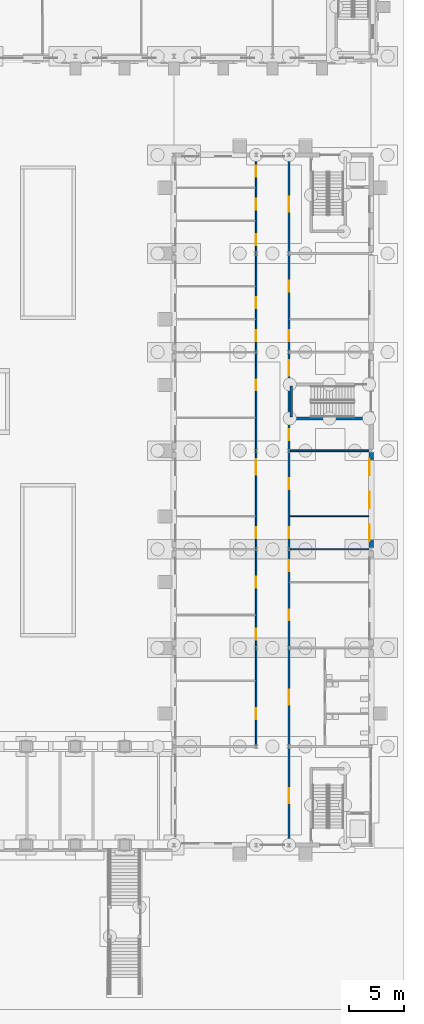
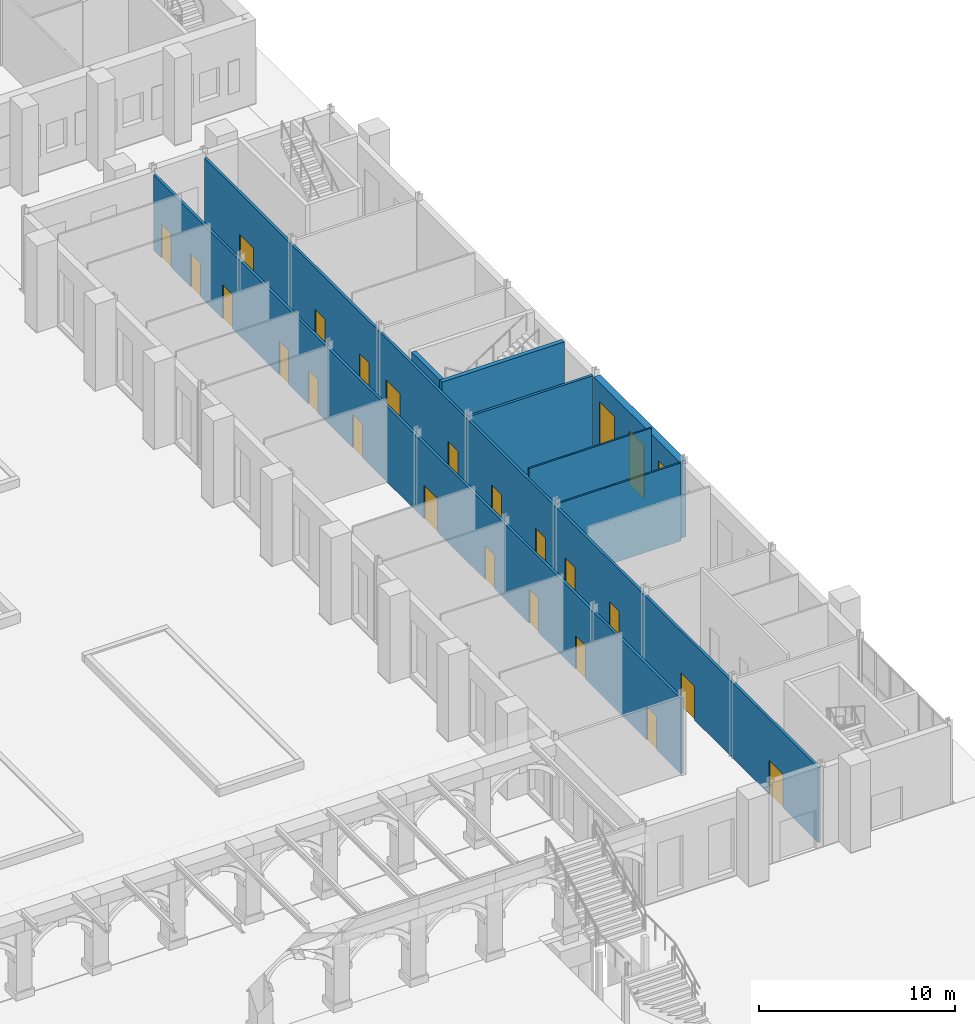
# One storey, part 103 of 168: 22 doors, 8 walls, 3 windows, 25 openings.
"""IFC4 building model written with IfcOpenShell, lengths in metres."""

from ifc_helpers import new_model, si_unit, direction, frame, frame_2d, origin, place, context, subcontext, project, spatial, rectangle, extrude, material, layer, layer_set, type_object, element, fill, save


model = new_model("IFC4")

# Units and contexts
model_context = context("Model", 3, precision=1e-05, world=origin(), true_north=direction((0.0, 1.0)))
body_context = subcontext(model_context, "Body", "Model", "MODEL_VIEW")
ifc_project = project(units=[si_unit("LENGTHUNIT", "METRE"), si_unit("AREAUNIT", "SQUARE_METRE"), si_unit("VOLUMEUNIT", "CUBIC_METRE"), si_unit("PLANEANGLEUNIT", "RADIAN"), si_unit("MASSUNIT", "GRAM", prefix="KILO")], contexts=[model_context])

# Site, building, storey
site_placement = place(None, origin())
site = spatial("IfcSite", under=ifc_project, at=site_placement, CompositionType="ELEMENT")
building_placement = place(site_placement, origin())
building = spatial("IfcBuilding", under=site, at=building_placement, Name="Golden Quay Civic Hall", CompositionType="ELEMENT")
storey_placement = place(building_placement, origin())
storey = spatial("IfcBuildingStorey", under=building, at=storey_placement, Name="L00", CompositionType="ELEMENT", Elevation=0.0)

# Wall, openings, windows
ifc_material_1 = material(Name="Brick, dark clay facing", Category="masonry")
ifc_layer_1 = layer(ifc_material_1, 0.39990234375)
ifc_layer_set_1 = layer_set([ifc_layer_1], Name="Brick external wall 400")
wall_type_1 = type_object("IfcWallType", Name="Brick external wall 400", PredefinedType="STANDARD", material=ifc_layer_set_1)
wall_1_placement = place(storey_placement, frame((171.0, 26.864990234375, 0.0), z_axis=(0.0, 0.0, 1.0), x_axis=(0.0, -1.0, 0.0)))
wall_1 = element("IfcWall", 1, at=wall_1_placement, inside=storey, type_object=wall_type_1, Name="Brick external wall 400 L00 22", PredefinedType="STANDARD", context=body_context, shape_type="SweptSolid", body=[
    extrude(rectangle(XDim=8.72998046875, YDim=0.39990234375, at=frame_2d((4.364990234375, 0.0))), origin(), (0.0, 0.0, 1.0), 4.800048828125),
])
opening_1_placement = place(wall_1_placement, frame((6.614990234375, 0.0, 0.300048828125)))
opening_1 = element("IfcOpeningElement", 2, at=opening_1_placement, cuts=wall_1, Name="Opening WN4", PredefinedType="OPENING", context=body_context, shape_type="SweptSolid", body=[
    extrude(rectangle(XDim=1.5, YDim=3.300048828125, at=frame_2d((0.75, 1.64990234375))), frame((0.0, 0.2099609375, 0.0), z_axis=(0.0, -1.0, 0.0), x_axis=(1.0, 0.0, 0.0)), (0.0, 0.0, 1.0), 0.419921875),
])
opening_2_placement = place(wall_1_placement, frame((3.614990234375, 0.0, 0.300048828125)))
opening_2 = element("IfcOpeningElement", 3, at=opening_2_placement, cuts=wall_1, Name="Opening WN4", PredefinedType="OPENING", context=body_context, shape_type="SweptSolid", body=[
    extrude(rectangle(XDim=1.5, YDim=3.300048828125, at=frame_2d((0.75, 1.64990234375))), frame((0.0, 0.2099609375, 0.0), z_axis=(0.0, -1.0, 0.0), x_axis=(1.0, 0.0, 0.0)), (0.0, 0.0, 1.0), 0.419921875),
])
opening_3_placement = place(wall_1_placement, frame((0.614990234375, 0.0, 0.300048828125)))
opening_3 = element("IfcOpeningElement", 4, at=opening_3_placement, cuts=wall_1, Name="Opening WN4", PredefinedType="OPENING", context=body_context, shape_type="SweptSolid", body=[
    extrude(rectangle(XDim=1.5, YDim=3.300048828125, at=frame_2d((0.75, 1.64990234375))), frame((0.0, 0.2099609375, 0.0), z_axis=(0.0, -1.0, 0.0), x_axis=(1.0, 0.0, 0.0)), (0.0, 0.0, 1.0), 0.419921875),
])
ifc_material_2 = material(Name="Aluminium frame, double glazed", Category="aluminium")
window_type = type_object("IfcWindowType", Name="Tall ground-floor window 1500 x 3300", PartitioningType="SINGLE_PANEL", PredefinedType="WINDOW", material=ifc_material_2)
window_1_placement = place(opening_1_placement, origin())
window_1 = element("IfcWindow", 5, at=window_1_placement, inside=storey, type_object=window_type, Name="Tall ground-floor window 1500 x 3300 L00 45", OverallHeight=3.300048828125, OverallWidth=1.5, PartitioningType="SINGLE_PANEL", PredefinedType="WINDOW", context=body_context, shape_type="SweptSolid", body=[
    extrude(rectangle(XDim=1.5, YDim=3.300048828125, at=frame_2d((0.75, 1.64990234375))), frame((0.0, -0.119873046875, 0.0), z_axis=(0.0, -1.0, 0.0), x_axis=(1.0, 0.0, 0.0)), (0.0, 0.0, 1.0), 0.06005859375),
])
fill(opening_1, window_1)
window_2_placement = place(opening_2_placement, origin())
window_2 = element("IfcWindow", 6, at=window_2_placement, inside=storey, type_object=window_type, Name="Tall ground-floor window 1500 x 3300 L00 46", OverallHeight=3.300048828125, OverallWidth=1.5, PartitioningType="SINGLE_PANEL", PredefinedType="WINDOW", context=body_context, shape_type="SweptSolid", body=[
    extrude(rectangle(XDim=1.5, YDim=3.300048828125, at=frame_2d((0.75, 1.64990234375))), frame((0.0, -0.119873046875, 0.0), z_axis=(0.0, -1.0, 0.0), x_axis=(1.0, 0.0, 0.0)), (0.0, 0.0, 1.0), 0.06005859375),
])
fill(opening_2, window_2)
window_3_placement = place(opening_3_placement, origin())
window_3 = element("IfcWindow", 7, at=window_3_placement, inside=storey, type_object=window_type, Name="Tall ground-floor window 1500 x 3300 L00 47", OverallHeight=3.300048828125, OverallWidth=1.5, PartitioningType="SINGLE_PANEL", PredefinedType="WINDOW", context=body_context, shape_type="SweptSolid", body=[
    extrude(rectangle(XDim=1.5, YDim=3.300048828125, at=frame_2d((0.75, 1.64990234375))), frame((0.0, -0.119873046875, 0.0), z_axis=(0.0, -1.0, 0.0), x_axis=(1.0, 0.0, 0.0)), (0.0, 0.0, 1.0), 0.06005859375),
])
fill(opening_3, window_3)

# Walls
ifc_material_3 = material(Name="Concrete C40/50", Category="concrete")
ifc_layer_2 = layer(ifc_material_3, 0.25)
ifc_layer_set_2 = layer_set([ifc_layer_2], Name="Concrete core wall 250, Concrete C40/50")
wall_type_2 = type_object("IfcWallType", Name="Concrete core wall 250", PredefinedType="SHEAR", material=ifc_layer_set_2)
wall_2_placement = place(storey_placement, frame((163.574951171875, 29.949951171875, 0.0), z_axis=(0.0, 0.0, 1.0), x_axis=(1.0, 0.0, 0.0)))
element("IfcWall", 8, at=wall_2_placement, inside=storey, type_object=wall_type_2, Name="Core wall EO-M-W2", PredefinedType="SHEAR", context=body_context, shape_type="SweptSolid", body=[
    extrude(rectangle(XDim=7.22509765625, YDim=0.25, at=frame_2d((3.612548828125, 0.0))), origin(), (0.0, 0.0, 1.0), 5.199951171875),
])
wall_3_placement = place(storey_placement, frame((163.699951171875, 30.074951171875, 0.0), z_axis=(0.0, 0.0, 1.0), x_axis=(0.0, 1.0, 0.0)))
element("IfcWall", 9, at=wall_3_placement, inside=storey, type_object=wall_type_2, Name="Core wall EO-M-W3", PredefinedType="SHEAR", context=body_context, shape_type="SweptSolid", body=[
    extrude(rectangle(XDim=2.85009765625, YDim=0.25, at=frame_2d((1.425048828125, 0.0))), origin(), (0.0, 0.0, 1.0), 5.199951171875),
])
ifc_material_4 = material(Name="Plasterboard on steel studs", Category="steel")
ifc_layer_3 = layer(ifc_material_4, 0.10009765625)
ifc_layer_set_3 = layer_set([ifc_layer_3], Name="Partition 100 stud")
wall_type_3 = type_object("IfcWallType", Name="Partition 100 stud", PredefinedType="PARTITIONING", material=ifc_layer_set_3)
wall_4_placement = place(storey_placement, frame((163.574951171875, 18.0, 0.0), z_axis=(0.0, 0.0, 1.0), x_axis=(1.0, 0.0, 0.0)))
element("IfcWall", 10, at=wall_4_placement, inside=storey, type_object=wall_type_3, Name="Partition L00-002", PredefinedType="PARTITIONING", context=body_context, shape_type="SweptSolid", body=[
    extrude(rectangle(XDim=7.22509765625, YDim=0.10009765625, at=frame_2d((3.612548828125, 0.0))), origin(), (0.0, 0.0, 1.0), 4.85009765625),
])
wall_5_placement = place(storey_placement, frame((163.574951171875, 21.0, 0.0), z_axis=(0.0, 0.0, 1.0), x_axis=(1.0, 0.0, 0.0)))
element("IfcWall", 11, at=wall_5_placement, inside=storey, type_object=wall_type_3, Name="Partition L00-003", PredefinedType="PARTITIONING", context=body_context, shape_type="SweptSolid", body=[
    extrude(rectangle(XDim=7.22509765625, YDim=0.10009765625, at=frame_2d((3.612548828125, 0.0))), origin(), (0.0, 0.0, 1.0), 5.199951171875),
])
ifc_material_5 = material(Name="Plasterboard on steel studs", Category="steel")
ifc_layer_4 = layer(ifc_material_5, 0.14990234375)
ifc_layer_set_4 = layer_set([ifc_layer_4], Name="Partition 150 stud fire EI 60")
wall_type_4 = type_object("IfcWallType", Name="Partition 150 stud fire EI 60", PredefinedType="PARTITIONING", material=ifc_layer_set_4)
wall_6_placement = place(storey_placement, frame((163.574951171875, 27.0, 0.0), z_axis=(0.0, 0.0, 1.0), x_axis=(1.0, 0.0, 0.0)))
element("IfcWall", 12, at=wall_6_placement, inside=storey, type_object=wall_type_4, Name="Partition L00-004", PredefinedType="PARTITIONING", context=body_context, shape_type="SweptSolid", body=[
    extrude(rectangle(XDim=7.22509765625, YDim=0.14990234375, at=frame_2d((3.612548828125, 0.0))), origin(), (0.0, 0.0, 1.0), 4.85009765625),
])

# Wall, openings, doors
wall_7_placement = place(storey_placement, frame((163.5, -8.800048828125, 0.0), z_axis=(0.0, 0.0, 1.0), x_axis=(0.0, 1.0, 0.0)))
wall_7 = element("IfcWall", 13, at=wall_7_placement, inside=storey, type_object=wall_type_4, Name="Partition L00-020", PredefinedType="PARTITIONING", context=body_context, shape_type="SweptSolid", body=[
    extrude(rectangle(XDim=62.60009765625, YDim=0.14990234375, at=frame_2d((31.300048828125, 0.0))), origin(), (0.0, 0.0, 1.0), 4.679931640625),
])
opening_4_placement = place(wall_7_placement, frame((20.300048828125, 0.0, 0.0)))
opening_4 = element("IfcOpeningElement", 14, at=opening_4_placement, cuts=wall_7, Name="Opening L00-D145", PredefinedType="OPENING", context=body_context, shape_type="SweptSolid", body=[
    extrude(rectangle(XDim=1.0, YDim=2.10009765625, at=frame_2d((0.5, 1.050048828125))), frame((0.0, 0.0849609375, 0.0), z_axis=(0.0, -1.0, 0.0), x_axis=(1.0, 0.0, 0.0)), (0.0, 0.0, 1.0), 0.169921875),
])
opening_5_placement = place(wall_7_placement, frame((24.800048828125, 0.0, 0.0)))
opening_5 = element("IfcOpeningElement", 15, at=opening_5_placement, cuts=wall_7, Name="Opening L00-D146", PredefinedType="OPENING", context=body_context, shape_type="SweptSolid", body=[
    extrude(rectangle(XDim=1.0, YDim=2.10009765625, at=frame_2d((0.5, 1.050048828125))), frame((0.0, 0.0849609375, 0.0), z_axis=(0.0, -1.0, 0.0), x_axis=(1.0, 0.0, 0.0)), (0.0, 0.0, 1.0), 0.169921875),
])
opening_6_placement = place(wall_7_placement, frame((27.800048828125, 0.0, 0.0)))
opening_6 = element("IfcOpeningElement", 16, at=opening_6_placement, cuts=wall_7, Name="Opening L00-D147", PredefinedType="OPENING", context=body_context, shape_type="SweptSolid", body=[
    extrude(rectangle(XDim=1.0, YDim=2.10009765625, at=frame_2d((0.5, 1.050048828125))), frame((0.0, 0.0849609375, 0.0), z_axis=(0.0, -1.0, 0.0), x_axis=(1.0, 0.0, 0.0)), (0.0, 0.0, 1.0), 0.169921875),
])
opening_7_placement = place(wall_7_placement, frame((32.300048828125, 0.0, 0.0)))
opening_7 = element("IfcOpeningElement", 17, at=opening_7_placement, cuts=wall_7, Name="Opening L00-D148", PredefinedType="OPENING", context=body_context, shape_type="SweptSolid", body=[
    extrude(rectangle(XDim=1.0, YDim=2.10009765625, at=frame_2d((0.5, 1.050048828125))), frame((0.0, 0.0849609375, 0.0), z_axis=(0.0, -1.0, 0.0), x_axis=(1.0, 0.0, 0.0)), (0.0, 0.0, 1.0), 0.169921875),
])
opening_8_placement = place(wall_7_placement, frame((45.800048828125, 0.0, 0.0)))
opening_8 = element("IfcOpeningElement", 18, at=opening_8_placement, cuts=wall_7, Name="Opening L00-D149", PredefinedType="OPENING", context=body_context, shape_type="SweptSolid", body=[
    extrude(rectangle(XDim=1.0, YDim=2.10009765625, at=frame_2d((0.5, 1.050048828125))), frame((0.0, 0.0849609375, 0.0), z_axis=(0.0, -1.0, 0.0), x_axis=(1.0, 0.0, 0.0)), (0.0, 0.0, 1.0), 0.169921875),
])
opening_9_placement = place(wall_7_placement, frame((50.300048828125, 0.0, 0.0)))
opening_9 = element("IfcOpeningElement", 19, at=opening_9_placement, cuts=wall_7, Name="Opening L00-D150", PredefinedType="OPENING", context=body_context, shape_type="SweptSolid", body=[
    extrude(rectangle(XDim=1.0, YDim=2.10009765625, at=frame_2d((0.5, 1.050048828125))), frame((0.0, 0.0849609375, 0.0), z_axis=(0.0, -1.0, 0.0), x_axis=(1.0, 0.0, 0.0)), (0.0, 0.0, 1.0), 0.169921875),
])
opening_10_placement = place(wall_7_placement, frame((12.60009765625, 0.0, 0.0)))
opening_10 = element("IfcOpeningElement", 20, at=opening_10_placement, cuts=wall_7, Name="Opening L00-D162", PredefinedType="OPENING", context=body_context, shape_type="SweptSolid", body=[
    extrude(rectangle(XDim=1.39990234375, YDim=2.10009765625, at=frame_2d((0.699951171875, 1.050048828125))), frame((0.0, 0.0849609375, 0.0), z_axis=(0.0, -1.0, 0.0), x_axis=(1.0, 0.0, 0.0)), (0.0, 0.0, 1.0), 0.169921875),
])
opening_11_placement = place(wall_7_placement, frame((3.60009765625, 0.0, 0.0)))
opening_11 = element("IfcOpeningElement", 21, at=opening_11_placement, cuts=wall_7, Name="Opening L00-D167", PredefinedType="OPENING", context=body_context, shape_type="SweptSolid", body=[
    extrude(rectangle(XDim=1.39990234375, YDim=2.10009765625, at=frame_2d((0.699951171875, 1.050048828125))), frame((0.0, 0.0849609375, 0.0), z_axis=(0.0, -1.0, 0.0), x_axis=(1.0, 0.0, 0.0)), (0.0, 0.0, 1.0), 0.169921875),
])
opening_12_placement = place(wall_7_placement, frame((57.60009765625, 0.0, 0.0)))
opening_12 = element("IfcOpeningElement", 22, at=opening_12_placement, cuts=wall_7, Name="Opening L00-D169", PredefinedType="OPENING", context=body_context, shape_type="SweptSolid", body=[
    extrude(rectangle(XDim=1.39990234375, YDim=2.10009765625, at=frame_2d((0.699951171875, 1.050048828125))), frame((0.0, 0.0849609375, 0.0), z_axis=(0.0, -1.0, 0.0), x_axis=(1.0, 0.0, 0.0)), (0.0, 0.0, 1.0), 0.169921875),
])
opening_13_placement = place(wall_7_placement, frame((36.75, 0.0, 0.0)))
opening_13 = element("IfcOpeningElement", 23, at=opening_13_placement, cuts=wall_7, Name="Opening L00-D170", PredefinedType="OPENING", context=body_context, shape_type="SweptSolid", body=[
    extrude(rectangle(XDim=1.0, YDim=2.10009765625, at=frame_2d((0.5, 1.050048828125))), frame((0.0, 0.0849609375, 0.0), z_axis=(0.0, -1.0, 0.0), x_axis=(1.0, 0.0, 0.0)), (0.0, 0.0, 1.0), 0.169921875),
])
opening_14_placement = place(wall_7_placement, frame((42.64990234375, 0.0, 0.0)))
opening_14 = element("IfcOpeningElement", 24, at=opening_14_placement, cuts=wall_7, Name="Opening L00-D172", PredefinedType="OPENING", context=body_context, shape_type="SweptSolid", body=[
    extrude(rectangle(XDim=1.39990234375, YDim=2.10009765625, at=frame_2d((0.699951171875, 1.050048828125))), frame((0.0, 0.0849609375, 0.0), z_axis=(0.0, -1.0, 0.0), x_axis=(1.0, 0.0, 0.0)), (0.0, 0.0, 1.0), 0.169921875),
])
ifc_material_6 = material(Name="Steel", Category="steel")
door_type_1 = type_object("IfcDoorType", Name="Steel double fire door FD30S 1400 x 2100", OperationType="DOUBLE_DOOR_SINGLE_SWING", PredefinedType="DOOR", material=ifc_material_6)
door_1_placement = place(opening_10_placement, frame((1.39990234375, 0.0, 0.0), z_axis=(0.0, 0.0, 1.0), x_axis=(-1.0, 0.0, 0.0)))
door_1 = element("IfcDoor", 25, at=door_1_placement, inside=storey, type_object=door_type_1, Name="Door L00-D162", OperationType="DOUBLE_DOOR_SINGLE_SWING", OverallHeight=2.10009765625, OverallWidth=1.39990234375, PredefinedType="DOOR", context=body_context, shape_type="SweptSolid", body=[
    extrude(rectangle(XDim=1.39990234375, YDim=2.10009765625, at=frame_2d((0.699951171875, 1.050048828125))), frame((0.0, 0.025146484375, 0.0), z_axis=(0.0, -1.0, 0.0), x_axis=(1.0, 0.0, 0.0)), (0.0, 0.0, 1.0), 0.050048828125),
])
fill(opening_10, door_1)
door_2_placement = place(opening_11_placement, origin())
door_2 = element("IfcDoor", 26, at=door_2_placement, inside=storey, type_object=door_type_1, Name="Door L00-D167", OperationType="DOUBLE_DOOR_SINGLE_SWING", OverallHeight=2.10009765625, OverallWidth=1.39990234375, PredefinedType="DOOR", context=body_context, shape_type="SweptSolid", body=[
    extrude(rectangle(XDim=1.39990234375, YDim=2.10009765625, at=frame_2d((0.699951171875, 1.050048828125))), frame((0.0, 0.02490234375, 0.0), z_axis=(0.0, -1.0, 0.0), x_axis=(1.0, 0.0, 0.0)), (0.0, 0.0, 1.0), 0.050048828125),
])
fill(opening_11, door_2)
door_3_placement = place(opening_12_placement, origin())
door_3 = element("IfcDoor", 27, at=door_3_placement, inside=storey, type_object=door_type_1, Name="Door L00-D169", OperationType="DOUBLE_DOOR_SINGLE_SWING", OverallHeight=2.10009765625, OverallWidth=1.39990234375, PredefinedType="DOOR", context=body_context, shape_type="SweptSolid", body=[
    extrude(rectangle(XDim=1.39990234375, YDim=2.10009765625, at=frame_2d((0.699951171875, 1.050048828125))), frame((0.0, 0.02490234375, 0.0), z_axis=(0.0, -1.0, 0.0), x_axis=(1.0, 0.0, 0.0)), (0.0, 0.0, 1.0), 0.050048828125),
])
fill(opening_12, door_3)
door_4_placement = place(opening_14_placement, origin())
door_4 = element("IfcDoor", 28, at=door_4_placement, inside=storey, type_object=door_type_1, Name="Door L00-D172", OperationType="DOUBLE_DOOR_SINGLE_SWING", OverallHeight=2.10009765625, OverallWidth=1.39990234375, PredefinedType="DOOR", context=body_context, shape_type="SweptSolid", body=[
    extrude(rectangle(XDim=1.39990234375, YDim=2.10009765625, at=frame_2d((0.699951171875, 1.050048828125))), frame((0.0, 0.02490234375, 0.0), z_axis=(0.0, -1.0, 0.0), x_axis=(1.0, 0.0, 0.0)), (0.0, 0.0, 1.0), 0.050048828125),
])
fill(opening_14, door_4)
ifc_material_7 = material(Name="Steel", Category="steel")
door_type_2 = type_object("IfcDoorType", Name="Steel fire door FD30S 1000 x 2100", OperationType="SINGLE_SWING_LEFT", PredefinedType="DOOR", material=ifc_material_7)
door_5_placement = place(opening_4_placement, frame((1.0, 0.0, 0.0), z_axis=(0.0, 0.0, 1.0), x_axis=(-1.0, 0.0, 0.0)))
door_5 = element("IfcDoor", 29, at=door_5_placement, inside=storey, type_object=door_type_2, Name="Door L00-D145", OperationType="SINGLE_SWING_RIGHT", OverallHeight=2.10009765625, OverallWidth=1.0, PredefinedType="DOOR", context=body_context, shape_type="SweptSolid", body=[
    extrude(rectangle(XDim=1.0, YDim=2.10009765625, at=frame_2d((0.5, 1.050048828125))), frame((0.0, 0.025146484375, 0.0), z_axis=(0.0, -1.0, 0.0), x_axis=(1.0, 0.0, 0.0)), (0.0, 0.0, 1.0), 0.050048828125),
])
fill(opening_4, door_5)
door_6_placement = place(opening_5_placement, frame((1.0, 0.0, 0.0), z_axis=(0.0, 0.0, 1.0), x_axis=(-1.0, 0.0, 0.0)))
door_6 = element("IfcDoor", 30, at=door_6_placement, inside=storey, type_object=door_type_2, Name="Door L00-D146", OperationType="SINGLE_SWING_RIGHT", OverallHeight=2.10009765625, OverallWidth=1.0, PredefinedType="DOOR", context=body_context, shape_type="SweptSolid", body=[
    extrude(rectangle(XDim=1.0, YDim=2.10009765625, at=frame_2d((0.5, 1.050048828125))), frame((0.0, 0.025146484375, 0.0), z_axis=(0.0, -1.0, 0.0), x_axis=(1.0, 0.0, 0.0)), (0.0, 0.0, 1.0), 0.050048828125),
])
fill(opening_5, door_6)
door_7_placement = place(opening_6_placement, frame((1.0, 0.0, 0.0), z_axis=(0.0, 0.0, 1.0), x_axis=(-1.0, 0.0, 0.0)))
door_7 = element("IfcDoor", 31, at=door_7_placement, inside=storey, type_object=door_type_2, Name="Door L00-D147", OperationType="SINGLE_SWING_RIGHT", OverallHeight=2.10009765625, OverallWidth=1.0, PredefinedType="DOOR", context=body_context, shape_type="SweptSolid", body=[
    extrude(rectangle(XDim=1.0, YDim=2.10009765625, at=frame_2d((0.5, 1.050048828125))), frame((0.0, 0.025146484375, 0.0), z_axis=(0.0, -1.0, 0.0), x_axis=(1.0, 0.0, 0.0)), (0.0, 0.0, 1.0), 0.050048828125),
])
fill(opening_6, door_7)
door_8_placement = place(opening_7_placement, frame((1.0, 0.0, 0.0), z_axis=(0.0, 0.0, 1.0), x_axis=(-1.0, 0.0, 0.0)))
door_8 = element("IfcDoor", 32, at=door_8_placement, inside=storey, type_object=door_type_2, Name="Door L00-D148", OperationType="SINGLE_SWING_RIGHT", OverallHeight=2.10009765625, OverallWidth=1.0, PredefinedType="DOOR", context=body_context, shape_type="SweptSolid", body=[
    extrude(rectangle(XDim=1.0, YDim=2.10009765625, at=frame_2d((0.5, 1.050048828125))), frame((0.0, 0.025146484375, 0.0), z_axis=(0.0, -1.0, 0.0), x_axis=(1.0, 0.0, 0.0)), (0.0, 0.0, 1.0), 0.050048828125),
])
fill(opening_7, door_8)
door_9_placement = place(opening_8_placement, frame((1.0, 0.0, 0.0), z_axis=(0.0, 0.0, 1.0), x_axis=(-1.0, 0.0, 0.0)))
door_9 = element("IfcDoor", 33, at=door_9_placement, inside=storey, type_object=door_type_2, Name="Door L00-D149", OperationType="SINGLE_SWING_RIGHT", OverallHeight=2.10009765625, OverallWidth=1.0, PredefinedType="DOOR", context=body_context, shape_type="SweptSolid", body=[
    extrude(rectangle(XDim=1.0, YDim=2.10009765625, at=frame_2d((0.5, 1.050048828125))), frame((0.0, 0.025146484375, 0.0), z_axis=(0.0, -1.0, 0.0), x_axis=(1.0, 0.0, 0.0)), (0.0, 0.0, 1.0), 0.050048828125),
])
fill(opening_8, door_9)
door_10_placement = place(opening_9_placement, frame((1.0, 0.0, 0.0), z_axis=(0.0, 0.0, 1.0), x_axis=(-1.0, 0.0, 0.0)))
door_10 = element("IfcDoor", 34, at=door_10_placement, inside=storey, type_object=door_type_2, Name="Door L00-D150", OperationType="SINGLE_SWING_RIGHT", OverallHeight=2.10009765625, OverallWidth=1.0, PredefinedType="DOOR", context=body_context, shape_type="SweptSolid", body=[
    extrude(rectangle(XDim=1.0, YDim=2.10009765625, at=frame_2d((0.5, 1.050048828125))), frame((0.0, 0.025146484375, 0.0), z_axis=(0.0, -1.0, 0.0), x_axis=(1.0, 0.0, 0.0)), (0.0, 0.0, 1.0), 0.050048828125),
])
fill(opening_9, door_10)
door_11_placement = place(opening_13_placement, frame((1.0, 0.0, 0.0), z_axis=(0.0, 0.0, 1.0), x_axis=(-1.0, 0.0, 0.0)))
door_11 = element("IfcDoor", 35, at=door_11_placement, inside=storey, type_object=door_type_2, Name="Door L00-D170", OperationType="SINGLE_SWING_RIGHT", OverallHeight=2.10009765625, OverallWidth=1.0, PredefinedType="DOOR", context=body_context, shape_type="SweptSolid", body=[
    extrude(rectangle(XDim=1.0, YDim=2.10009765625, at=frame_2d((0.5, 1.050048828125))), frame((0.0, 0.025146484375, 0.0), z_axis=(0.0, -1.0, 0.0), x_axis=(1.0, 0.0, 0.0)), (0.0, 0.0, 1.0), 0.050048828125),
])
fill(opening_13, door_11)

wall_8_placement = place(storey_placement, frame((160.5, 0.0, 0.0), z_axis=(0.0, 0.0, 1.0), x_axis=(0.0, 1.0, 0.0)))
wall_8 = element("IfcWall", 36, at=wall_8_placement, inside=storey, type_object=wall_type_4, Name="Partition L00-021", PredefinedType="PARTITIONING", context=body_context, shape_type="SweptSolid", body=[
    extrude(rectangle(XDim=53.800048828125, YDim=0.14990234375, at=frame_2d((26.89990234375, 0.0))), origin(), (0.0, 0.0, 1.0), 4.679931640625),
])
opening_15_placement = place(wall_8_placement, frame((2.5, 0.0, 0.0)))
opening_15 = element("IfcOpeningElement", 37, at=opening_15_placement, cuts=wall_8, Name="Opening L00-D151", PredefinedType="OPENING", context=body_context, shape_type="SweptSolid", body=[
    extrude(rectangle(XDim=1.0, YDim=2.10009765625, at=frame_2d((0.5, 1.050048828125))), frame((0.0, 0.0849609375, 0.0), z_axis=(0.0, -1.0, 0.0), x_axis=(1.0, 0.0, 0.0)), (0.0, 0.0, 1.0), 0.169921875),
])
opening_16_placement = place(wall_8_placement, frame((9.75, 0.0, 0.0)))
opening_16 = element("IfcOpeningElement", 38, at=opening_16_placement, cuts=wall_8, Name="Opening L00-D152", PredefinedType="OPENING", context=body_context, shape_type="SweptSolid", body=[
    extrude(rectangle(XDim=1.0, YDim=2.10009765625, at=frame_2d((0.5, 1.050048828125))), frame((0.0, 0.0849609375, 0.0), z_axis=(0.0, -1.0, 0.0), x_axis=(1.0, 0.0, 0.0)), (0.0, 0.0, 1.0), 0.169921875),
])
opening_17_placement = place(wall_8_placement, frame((14.5, 0.0, 0.0)))
opening_17 = element("IfcOpeningElement", 39, at=opening_17_placement, cuts=wall_8, Name="Opening L00-D153", PredefinedType="OPENING", context=body_context, shape_type="SweptSolid", body=[
    extrude(rectangle(XDim=1.0, YDim=2.10009765625, at=frame_2d((0.5, 1.050048828125))), frame((0.0, 0.0849609375, 0.0), z_axis=(0.0, -1.0, 0.0), x_axis=(1.0, 0.0, 0.0)), (0.0, 0.0, 1.0), 0.169921875),
])
opening_18_placement = place(wall_8_placement, frame((19.0, 0.0, 0.0)))
opening_18 = element("IfcOpeningElement", 40, at=opening_18_placement, cuts=wall_8, Name="Opening L00-D154", PredefinedType="OPENING", context=body_context, shape_type="SweptSolid", body=[
    extrude(rectangle(XDim=1.0, YDim=2.10009765625, at=frame_2d((0.5, 1.050048828125))), frame((0.0, 0.0849609375, 0.0), z_axis=(0.0, -1.0, 0.0), x_axis=(1.0, 0.0, 0.0)), (0.0, 0.0, 1.0), 0.169921875),
])
opening_19_placement = place(wall_8_placement, frame((24.800048828125, 0.0, 0.0)))
opening_19 = element("IfcOpeningElement", 41, at=opening_19_placement, cuts=wall_8, Name="Opening L00-D155", PredefinedType="OPENING", context=body_context, shape_type="SweptSolid", body=[
    extrude(rectangle(XDim=1.39990234375, YDim=2.10009765625, at=frame_2d((0.699951171875, 1.050048828125))), frame((0.0, 0.0849609375, 0.0), z_axis=(0.0, -1.0, 0.0), x_axis=(1.0, 0.0, 0.0)), (0.0, 0.0, 1.0), 0.169921875),
])
opening_20_placement = place(wall_8_placement, frame((32.5, 0.0, 0.0)))
opening_20 = element("IfcOpeningElement", 42, at=opening_20_placement, cuts=wall_8, Name="Opening L00-D156", PredefinedType="OPENING", context=body_context, shape_type="SweptSolid", body=[
    extrude(rectangle(XDim=1.0, YDim=2.10009765625, at=frame_2d((0.5, 1.050048828125))), frame((0.0, 0.0849609375, 0.0), z_axis=(0.0, -1.0, 0.0), x_axis=(1.0, 0.0, 0.0)), (0.0, 0.0, 1.0), 0.169921875),
])
opening_21_placement = place(wall_8_placement, frame((37.0, 0.0, 0.0)))
opening_21 = element("IfcOpeningElement", 43, at=opening_21_placement, cuts=wall_8, Name="Opening L00-D157", PredefinedType="OPENING", context=body_context, shape_type="SweptSolid", body=[
    extrude(rectangle(XDim=1.0, YDim=2.10009765625, at=frame_2d((0.5, 1.050048828125))), frame((0.0, 0.0849609375, 0.0), z_axis=(0.0, -1.0, 0.0), x_axis=(1.0, 0.0, 0.0)), (0.0, 0.0, 1.0), 0.169921875),
])
opening_22_placement = place(wall_8_placement, frame((40.0, 0.0, 0.0)))
opening_22 = element("IfcOpeningElement", 44, at=opening_22_placement, cuts=wall_8, Name="Opening L00-D158", PredefinedType="OPENING", context=body_context, shape_type="SweptSolid", body=[
    extrude(rectangle(XDim=1.0, YDim=2.10009765625, at=frame_2d((0.5, 1.050048828125))), frame((0.0, 0.0849609375, 0.0), z_axis=(0.0, -1.0, 0.0), x_axis=(1.0, 0.0, 0.0)), (0.0, 0.0, 1.0), 0.169921875),
])
opening_23_placement = place(wall_8_placement, frame((45.75, 0.0, 0.0)))
opening_23 = element("IfcOpeningElement", 45, at=opening_23_placement, cuts=wall_8, Name="Opening L00-D159", PredefinedType="OPENING", context=body_context, shape_type="SweptSolid", body=[
    extrude(rectangle(XDim=1.0, YDim=2.10009765625, at=frame_2d((0.5, 1.050048828125))), frame((0.0, 0.0849609375, 0.0), z_axis=(0.0, -1.0, 0.0), x_axis=(1.0, 0.0, 0.0)), (0.0, 0.0, 1.0), 0.169921875),
])
opening_24_placement = place(wall_8_placement, frame((49.0, 0.0, 0.0)))
opening_24 = element("IfcOpeningElement", 46, at=opening_24_placement, cuts=wall_8, Name="Opening L00-D160", PredefinedType="OPENING", context=body_context, shape_type="SweptSolid", body=[
    extrude(rectangle(XDim=1.0, YDim=2.10009765625, at=frame_2d((0.5, 1.050048828125))), frame((0.0, 0.0849609375, 0.0), z_axis=(0.0, -1.0, 0.0), x_axis=(1.0, 0.0, 0.0)), (0.0, 0.0, 1.0), 0.169921875),
])
opening_25_placement = place(wall_8_placement, frame((52.0, 0.0, 0.0)))
opening_25 = element("IfcOpeningElement", 47, at=opening_25_placement, cuts=wall_8, Name="Opening L00-D161", PredefinedType="OPENING", context=body_context, shape_type="SweptSolid", body=[
    extrude(rectangle(XDim=1.0, YDim=2.10009765625, at=frame_2d((0.5, 1.050048828125))), frame((0.0, 0.0849609375, 0.0), z_axis=(0.0, -1.0, 0.0), x_axis=(1.0, 0.0, 0.0)), (0.0, 0.0, 1.0), 0.169921875),
])
door_12_placement = place(opening_19_placement, origin())
door_12 = element("IfcDoor", 48, at=door_12_placement, inside=storey, type_object=door_type_1, Name="Door L00-D155", OperationType="DOUBLE_DOOR_SINGLE_SWING", OverallHeight=2.10009765625, OverallWidth=1.39990234375, PredefinedType="DOOR", context=body_context, shape_type="SweptSolid", body=[
    extrude(rectangle(XDim=1.39990234375, YDim=2.10009765625, at=frame_2d((0.699951171875, 1.050048828125))), frame((0.0, 0.02490234375, 0.0), z_axis=(0.0, -1.0, 0.0), x_axis=(1.0, 0.0, 0.0)), (0.0, 0.0, 1.0), 0.050048828125),
])
fill(opening_19, door_12)
door_13_placement = place(opening_15_placement, origin())
door_13 = element("IfcDoor", 49, at=door_13_placement, inside=storey, type_object=door_type_2, Name="Door L00-D151", OperationType="SINGLE_SWING_LEFT", OverallHeight=2.10009765625, OverallWidth=1.0, PredefinedType="DOOR", context=body_context, shape_type="SweptSolid", body=[
    extrude(rectangle(XDim=1.0, YDim=2.10009765625, at=frame_2d((0.5, 1.050048828125))), frame((0.0, 0.02490234375, 0.0), z_axis=(0.0, -1.0, 0.0), x_axis=(1.0, 0.0, 0.0)), (0.0, 0.0, 1.0), 0.050048828125),
])
fill(opening_15, door_13)
door_14_placement = place(opening_16_placement, origin())
door_14 = element("IfcDoor", 50, at=door_14_placement, inside=storey, type_object=door_type_2, Name="Door L00-D152", OperationType="SINGLE_SWING_LEFT", OverallHeight=2.10009765625, OverallWidth=1.0, PredefinedType="DOOR", context=body_context, shape_type="SweptSolid", body=[
    extrude(rectangle(XDim=1.0, YDim=2.10009765625, at=frame_2d((0.5, 1.050048828125))), frame((0.0, 0.02490234375, 0.0), z_axis=(0.0, -1.0, 0.0), x_axis=(1.0, 0.0, 0.0)), (0.0, 0.0, 1.0), 0.050048828125),
])
fill(opening_16, door_14)
door_15_placement = place(opening_17_placement, origin())
door_15 = element("IfcDoor", 51, at=door_15_placement, inside=storey, type_object=door_type_2, Name="Door L00-D153", OperationType="SINGLE_SWING_LEFT", OverallHeight=2.10009765625, OverallWidth=1.0, PredefinedType="DOOR", context=body_context, shape_type="SweptSolid", body=[
    extrude(rectangle(XDim=1.0, YDim=2.10009765625, at=frame_2d((0.5, 1.050048828125))), frame((0.0, 0.02490234375, 0.0), z_axis=(0.0, -1.0, 0.0), x_axis=(1.0, 0.0, 0.0)), (0.0, 0.0, 1.0), 0.050048828125),
])
fill(opening_17, door_15)
door_16_placement = place(opening_18_placement, origin())
door_16 = element("IfcDoor", 52, at=door_16_placement, inside=storey, type_object=door_type_2, Name="Door L00-D154", OperationType="SINGLE_SWING_LEFT", OverallHeight=2.10009765625, OverallWidth=1.0, PredefinedType="DOOR", context=body_context, shape_type="SweptSolid", body=[
    extrude(rectangle(XDim=1.0, YDim=2.10009765625, at=frame_2d((0.5, 1.050048828125))), frame((0.0, 0.02490234375, 0.0), z_axis=(0.0, -1.0, 0.0), x_axis=(1.0, 0.0, 0.0)), (0.0, 0.0, 1.0), 0.050048828125),
])
fill(opening_18, door_16)
door_17_placement = place(opening_20_placement, origin())
door_17 = element("IfcDoor", 53, at=door_17_placement, inside=storey, type_object=door_type_2, Name="Door L00-D156", OperationType="SINGLE_SWING_LEFT", OverallHeight=2.10009765625, OverallWidth=1.0, PredefinedType="DOOR", context=body_context, shape_type="SweptSolid", body=[
    extrude(rectangle(XDim=1.0, YDim=2.10009765625, at=frame_2d((0.5, 1.050048828125))), frame((0.0, 0.02490234375, 0.0), z_axis=(0.0, -1.0, 0.0), x_axis=(1.0, 0.0, 0.0)), (0.0, 0.0, 1.0), 0.050048828125),
])
fill(opening_20, door_17)
door_18_placement = place(opening_21_placement, origin())
door_18 = element("IfcDoor", 54, at=door_18_placement, inside=storey, type_object=door_type_2, Name="Door L00-D157", OperationType="SINGLE_SWING_LEFT", OverallHeight=2.10009765625, OverallWidth=1.0, PredefinedType="DOOR", context=body_context, shape_type="SweptSolid", body=[
    extrude(rectangle(XDim=1.0, YDim=2.10009765625, at=frame_2d((0.5, 1.050048828125))), frame((0.0, 0.02490234375, 0.0), z_axis=(0.0, -1.0, 0.0), x_axis=(1.0, 0.0, 0.0)), (0.0, 0.0, 1.0), 0.050048828125),
])
fill(opening_21, door_18)
door_19_placement = place(opening_22_placement, origin())
door_19 = element("IfcDoor", 55, at=door_19_placement, inside=storey, type_object=door_type_2, Name="Door L00-D158", OperationType="SINGLE_SWING_LEFT", OverallHeight=2.10009765625, OverallWidth=1.0, PredefinedType="DOOR", context=body_context, shape_type="SweptSolid", body=[
    extrude(rectangle(XDim=1.0, YDim=2.10009765625, at=frame_2d((0.5, 1.050048828125))), frame((0.0, 0.02490234375, 0.0), z_axis=(0.0, -1.0, 0.0), x_axis=(1.0, 0.0, 0.0)), (0.0, 0.0, 1.0), 0.050048828125),
])
fill(opening_22, door_19)
door_20_placement = place(opening_23_placement, origin())
door_20 = element("IfcDoor", 56, at=door_20_placement, inside=storey, type_object=door_type_2, Name="Door L00-D159", OperationType="SINGLE_SWING_LEFT", OverallHeight=2.10009765625, OverallWidth=1.0, PredefinedType="DOOR", context=body_context, shape_type="SweptSolid", body=[
    extrude(rectangle(XDim=1.0, YDim=2.10009765625, at=frame_2d((0.5, 1.050048828125))), frame((0.0, 0.02490234375, 0.0), z_axis=(0.0, -1.0, 0.0), x_axis=(1.0, 0.0, 0.0)), (0.0, 0.0, 1.0), 0.050048828125),
])
fill(opening_23, door_20)
door_21_placement = place(opening_24_placement, origin())
door_21 = element("IfcDoor", 57, at=door_21_placement, inside=storey, type_object=door_type_2, Name="Door L00-D160", OperationType="SINGLE_SWING_LEFT", OverallHeight=2.10009765625, OverallWidth=1.0, PredefinedType="DOOR", context=body_context, shape_type="SweptSolid", body=[
    extrude(rectangle(XDim=1.0, YDim=2.10009765625, at=frame_2d((0.5, 1.050048828125))), frame((0.0, 0.02490234375, 0.0), z_axis=(0.0, -1.0, 0.0), x_axis=(1.0, 0.0, 0.0)), (0.0, 0.0, 1.0), 0.050048828125),
])
fill(opening_24, door_21)
door_22_placement = place(opening_25_placement, origin())
door_22 = element("IfcDoor", 58, at=door_22_placement, inside=storey, type_object=door_type_2, Name="Door L00-D161", OperationType="SINGLE_SWING_LEFT", OverallHeight=2.10009765625, OverallWidth=1.0, PredefinedType="DOOR", context=body_context, shape_type="SweptSolid", body=[
    extrude(rectangle(XDim=1.0, YDim=2.10009765625, at=frame_2d((0.5, 1.050048828125))), frame((0.0, 0.02490234375, 0.0), z_axis=(0.0, -1.0, 0.0), x_axis=(1.0, 0.0, 0.0)), (0.0, 0.0, 1.0), 0.050048828125),
])
fill(opening_25, door_22)

save(model, "model.ifc")
